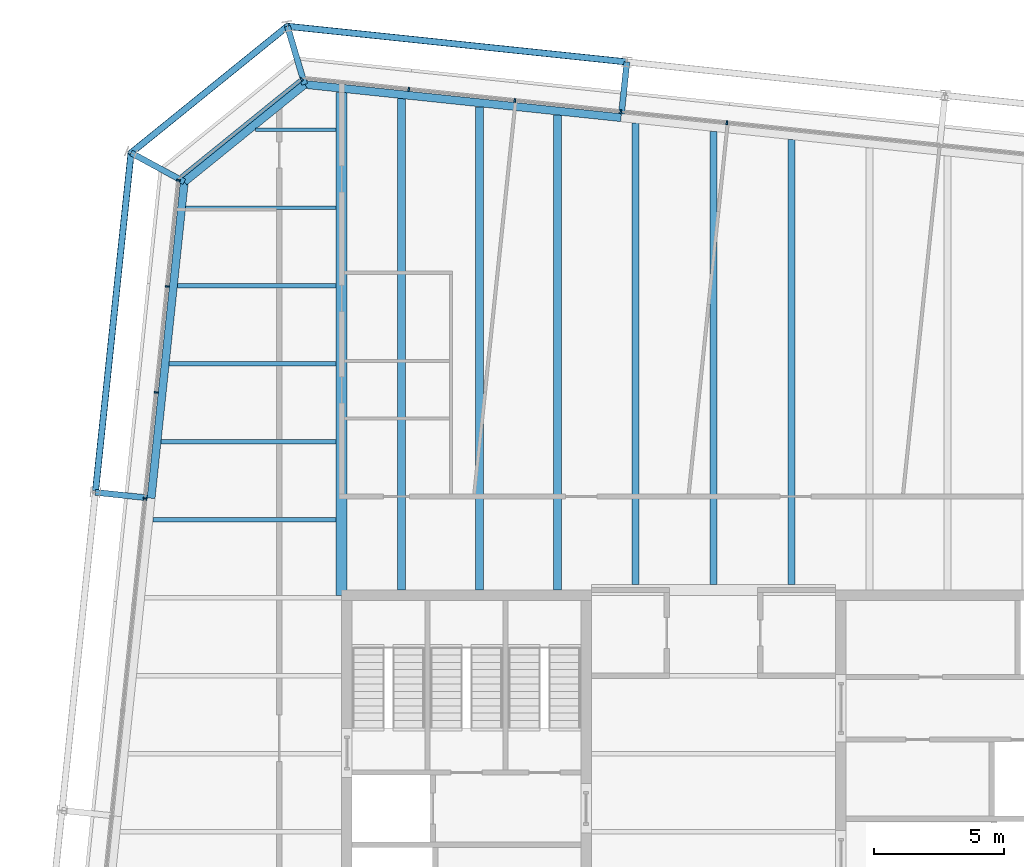
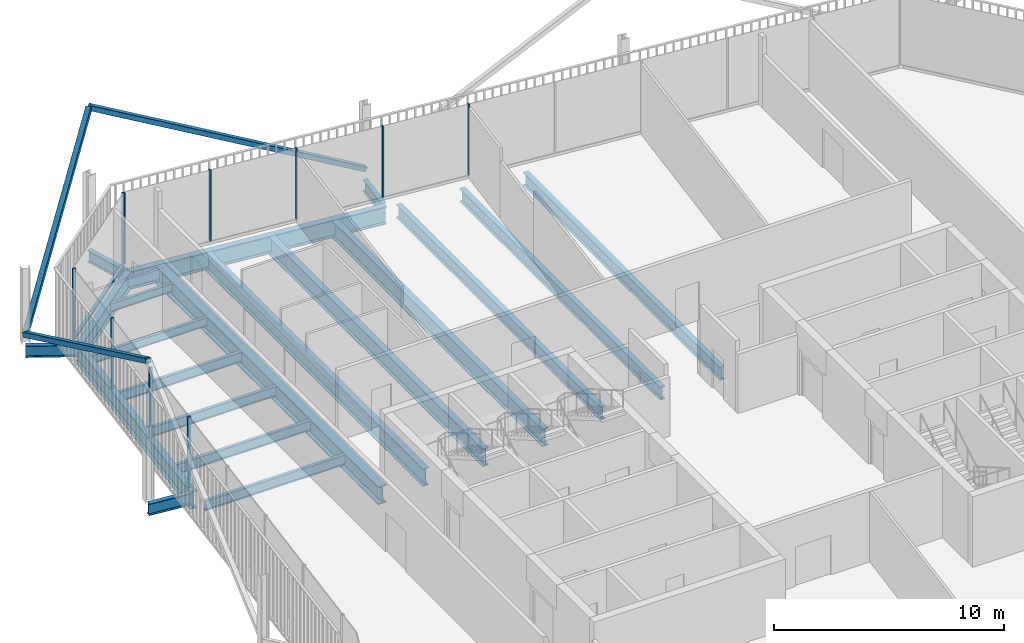
# One storey, part 12 of 21: 20 beams, 13 members, 3 elements without a shape of their own.
"""IFC4 building model written with IfcOpenShell, lengths in metres."""

import ifcopenshell
import ifcopenshell.guid

model = None  # the IFC model being written
_history = None  # IfcOwnerHistory: only IFC2X3 demands one
_inside = {}  # id of a spatial element -> (the spatial element, [elements in it])
_under = {}  # id of a project, library or spatial element -> (it, [spatial elements below it])
_declared = {}  # id of a project -> (the project, [libraries it declares])
_typed = {}  # id of a type object -> (the type object, [elements of that type])
_made_of = {}  # id of a material, layer set ... -> (it, [elements and type objects made of it])


def new_model(schema):
    """Start an empty IFC model of exactly this schema.

    Asked for "IFC4X3", IfcOpenShell would pick the latest addendum, in which some entities
    have other attributes; the version numbers below select the first issue.
    IFC2X3 requires an IfcOwnerHistory on every rooted entity: one is made here for all.
    """
    global model, _history
    if schema == "IFC4X3":
        model = ifcopenshell.file(schema_version=(4, 3, 0, 0))
    else:
        model = ifcopenshell.file(schema=schema)
    _inside.clear()
    _under.clear()
    _declared.clear()
    _typed.clear()
    _made_of.clear()
    _history = None
    if model.schema == "IFC2X3":
        org = make("IfcOrganization", Name="unknown")
        user = make(
            "IfcPersonAndOrganization",
            ThePerson=make("IfcPerson", FamilyName="unknown"),
            TheOrganization=org,
        )
        app = make(
            "IfcApplication",
            ApplicationDeveloper=org,
            Version="unknown",
            ApplicationFullName="unknown",
            ApplicationIdentifier="unknown",
        )
        _history = make(
            "IfcOwnerHistory",
            OwningUser=user,
            OwningApplication=app,
            ChangeAction="ADDED",
            CreationDate=0,
        )
    return model


def make(cls, **values):
    """One entity of the class cls with the attributes given. An attribute that is None is left unset."""
    return model.create_entity(
        cls, **{name: value for name, value in values.items() if value is not None}
    )


def rooted(cls, **values):
    """An entity with a GlobalId (a new one), such as an element, a storey or a relation."""
    return make(cls, GlobalId=ifcopenshell.guid.new(), OwnerHistory=_history, **values)


def si_unit(unit_type, name, prefix=None):
    """IfcSIUnit, for example si_unit("LENGTHUNIT", "METRE", prefix="MILLI")."""
    return make("IfcSIUnit", UnitType=unit_type, Prefix=prefix, Name=name)


def assignment(units):
    """IfcUnitAssignment: the units of a project."""
    return None if units is None else make("IfcUnitAssignment", Units=units)


def point(xyz):
    """IfcCartesianPoint."""
    return None if xyz is None else make("IfcCartesianPoint", Coordinates=xyz)


def direction(xyz):
    """IfcDirection."""
    return None if xyz is None else make("IfcDirection", DirectionRatios=xyz)


def frame(location, z_axis=None, x_axis=None):
    """IfcAxis2Placement3D, a coordinate frame: its origin and axes. An axis left out is left unset."""
    return make(
        "IfcAxis2Placement3D",
        Location=point(location),
        Axis=direction(z_axis),
        RefDirection=direction(x_axis),
    )


def frame_2d(location, x_axis=None):
    """IfcAxis2Placement2D, a coordinate frame in the plane: its origin and x axis."""
    return make(
        "IfcAxis2Placement2D", Location=point(location), RefDirection=direction(x_axis)
    )


def origin():
    """The frame at (0, 0, 0) with its axes left unset."""
    return frame((0.0, 0.0, 0.0))


def origin_2d():
    """The frame at (0, 0) in the plane with its x axis left unset."""
    return frame_2d((0.0, 0.0))


def place(relative_to, where):
    """IfcLocalPlacement: puts the frame where relative to a parent placement (None: the world)."""
    return make(
        "IfcLocalPlacement", PlacementRelTo=relative_to, RelativePlacement=where
    )


def context(
    kind, dimensions, precision=None, world=None, true_north=None, identifier=None
):
    """IfcGeometricRepresentationContext, for example the 3D "Model" context."""
    return make(
        "IfcGeometricRepresentationContext",
        ContextIdentifier=identifier,
        ContextType=kind,
        CoordinateSpaceDimension=dimensions,
        Precision=precision,
        WorldCoordinateSystem=world,
        TrueNorth=true_north,
    )


def subcontext(parent, identifier, kind, view, scale=None):
    """IfcGeometricRepresentationSubContext, for example "Body" below "Model"."""
    return make(
        "IfcGeometricRepresentationSubContext",
        ContextIdentifier=identifier,
        ContextType=kind,
        ParentContext=parent,
        TargetScale=scale,
        TargetView=view,
    )


def project(units=None, contexts=None):
    """IfcProject with its units and contexts."""
    return rooted(
        "IfcProject",
        Name="project",
        RepresentationContexts=contexts,
        UnitsInContext=assignment(units),
    )


def spatial(cls, under=None, at=None, **own):
    """A site, building, storey or space (cls), placed at a placement, below another one or the project."""
    s = rooted(cls, ObjectPlacement=at, **own)
    if under is not None:
        _under.setdefault(under.id(), (under, []))[1].append(s)
    return s


def profile(cls, at=None, kind="AREA", **sizes):
    """A parametric profile (cls). Its sizes go by their IFC names, for example OverallWidth=200.0."""
    return make(cls, ProfileType=kind, Position=at, **sizes)


def rectangle(**sizes):
    """IfcRectangleProfileDef."""
    return profile("IfcRectangleProfileDef", **sizes)


def hollow_rectangle(**sizes):
    """IfcRectangleHollowProfileDef."""
    return profile("IfcRectangleHollowProfileDef", **sizes)


def i_section(**sizes):
    """IfcIShapeProfileDef."""
    return profile("IfcIShapeProfileDef", **sizes)


def extrude(swept, where, along, depth):
    """IfcExtrudedAreaSolid: the profile swept, set in the frame where, extruded along a direction by depth."""
    return make(
        "IfcExtrudedAreaSolid",
        SweptArea=swept,
        Position=where,
        ExtrudedDirection=direction(along),
        Depth=depth,
    )


def shape(context_of_items, identifier, shape_type, items):
    """IfcShapeRepresentation: the items that make up one representation, for example the "Body"."""
    return make(
        "IfcShapeRepresentation",
        ContextOfItems=context_of_items,
        RepresentationIdentifier=identifier,
        RepresentationType=shape_type,
        Items=items,
    )


def material(Name=None, Category=None):
    """IfcMaterial."""
    return make("IfcMaterial", Name=Name, Category=Category)


def layer(
    of_material, thickness, ventilated=None, Name=None, Category=None, Priority=None
):
    """IfcMaterialLayer: one layer of a wall or slab, of a material (None: an air gap)."""
    return make(
        "IfcMaterialLayer",
        Material=of_material,
        LayerThickness=thickness,
        IsVentilated=ventilated,
        Name=Name,
        Category=Category,
        Priority=Priority,
    )


def layer_set(layers, Name=None):
    """IfcMaterialLayerSet."""
    return make("IfcMaterialLayerSet", MaterialLayers=layers, LayerSetName=Name)


def material_profile(
    of_material, cross_section, Name=None, Category=None, Priority=None
):
    """IfcMaterialProfile: a cross section and its material."""
    return make(
        "IfcMaterialProfile",
        Name=Name,
        Material=of_material,
        Profile=cross_section,
        Priority=Priority,
        Category=Category,
    )


def profile_set(profiles, Name=None, composite=None):
    """IfcMaterialProfileSet."""
    return make(
        "IfcMaterialProfileSet",
        Name=Name,
        MaterialProfiles=profiles,
        CompositeProfile=composite,
    )


def made_of(thing, what):
    """Note that an element or type object is made of a material, layer set ...; save() writes the relation."""
    if what is not None:
        _made_of.setdefault(what.id(), (what, []))[1].append(thing)
    return thing


def type_object(cls, material=None, **own):
    """A type object (cls), such as IfcWallType, which elements share."""
    return made_of(rooted(cls, **own), material)


def element(
    cls,
    number,
    at=None,
    inside=None,
    cuts=None,
    type_object=None,
    material=None,
    context=None,
    identifier="Body",
    shape_type=None,
    held_by="IfcProductDefinitionShape",
    body=None,
    shapes=None,
    **own,
):
    """One element of the class cls, such as IfcWall. Its Tag is "e" and its number.

    at: its placement. inside: the storey or other place that contains it. cuts: it is an
    opening in that element (IfcRelVoidsElement). A single representation is given by context,
    identifier, shape_type and body (its items); several are given by shapes. held_by: the class
    of the entity that holds the representations. save() writes the other relations.
    """
    e = rooted(cls, Tag="e%d" % number, ObjectPlacement=at, **own)
    if body is not None:
        shapes = [shape(context, identifier, shape_type, body)]
    if shapes is not None:
        e.Representation = make(held_by, Representations=shapes)
    if inside is not None:
        _inside.setdefault(inside.id(), (inside, []))[1].append(e)
    if cuts is not None:
        rooted(
            "IfcRelVoidsElement", RelatingBuildingElement=cuts, RelatedOpeningElement=e
        )
    if type_object is not None:
        _typed.setdefault(type_object.id(), (type_object, []))[1].append(e)
    return made_of(e, material)


def aggregate(whole, parts):
    """IfcRelAggregates: a whole, such as a stair, and the parts it consists of."""
    return rooted("IfcRelAggregates", RelatingObject=whole, RelatedObjects=parts)


def save(model, path):
    """Write the relations noted so far, then the file.

    IfcRelAggregates (storeys below a building ...), IfcRelContainedInSpatialStructure (elements
    in a storey), IfcRelDefinesByType, IfcRelAssociatesMaterial and IfcRelDeclares: one each for
    every whole, place, type object, material and project.
    """
    for whole, parts in _under.values():
        aggregate(whole, parts)
    for where, things in _inside.values():
        rooted(
            "IfcRelContainedInSpatialStructure",
            RelatedElements=things,
            RelatingStructure=where,
        )
    for kind, things in _typed.values():
        rooted("IfcRelDefinesByType", RelatedObjects=things, RelatingType=kind)
    for what, things in _made_of.values():
        rooted("IfcRelAssociatesMaterial", RelatedObjects=things, RelatingMaterial=what)
    for by, libraries in _declared.values():
        rooted("IfcRelDeclares", RelatingContext=by, RelatedDefinitions=libraries)
    model.write(path)


model = new_model("IFC4")

# Units and contexts
model_context = context("Model", 3, precision=1e-05, world=origin(), true_north=direction((0.0, 1.0)))
body_context = subcontext(model_context, "Body", "Model", "MODEL_VIEW")
ifc_project = project(units=[si_unit("LENGTHUNIT", "METRE"), si_unit("AREAUNIT", "SQUARE_METRE"), si_unit("VOLUMEUNIT", "CUBIC_METRE"), si_unit("PLANEANGLEUNIT", "RADIAN"), si_unit("MASSUNIT", "GRAM", prefix="KILO")], contexts=[model_context])

# Site, building, storey
site_placement = place(None, origin())
site = spatial("IfcSite", under=ifc_project, at=site_placement, CompositionType="ELEMENT")
building_placement = place(site_placement, origin())
building = spatial("IfcBuilding", under=site, at=building_placement, Name="Millrace Tower", CompositionType="ELEMENT")
storey_placement = place(building_placement, frame((0.0, 0.0, 334.300048828125)))
storey = spatial("IfcBuildingStorey", under=building, at=storey_placement, Name="L77", CompositionType="ELEMENT", Elevation=334.300048828125)

# Curtain wall, members
ifc_material_1 = material(Name="Aluminium and glass", Category="aluminium")
ifc_layer = layer(ifc_material_1, 0.14990234375)
ifc_layer_set = layer_set([ifc_layer], Name="Aluminium and glass")
curtain_wall_type = type_object("IfcCurtainWallType", Name="CW-1 office vision curtain wall", PredefinedType="NOTDEFINED", material=ifc_layer_set)
placement = place(storey_placement, origin())
curtain_wall_1 = element("IfcCurtainWall", 1, at=placement, inside=storey, type_object=curtain_wall_type, Name="Curtain wall E-F06 L77", PredefinedType="NOTDEFINED")
ifc_material_2 = material(Name="Aluminium", Category="aluminium")
ifc_material_profile_1 = material_profile(ifc_material_2, rectangle(XDim=0.06494140625, YDim=0.14990234375, at=origin_2d()))
ifc_profile_set_1 = profile_set([ifc_material_profile_1], Name="Aluminium")
member_type_1 = type_object("IfcMemberType", Name="CW-1 office vision curtain wall mullion", PredefinedType="MULLION", material=ifc_profile_set_1)
member_1_placement = place(storey_placement, frame((0.514892578125, 27.267578125, 0.139892578125), z_axis=(0.0, 0.0, 1.0), x_axis=(-0.994521896217, 0.104528455196, 0.0)))
member_1 = element("IfcMember", 2, at=member_1_placement, type_object=member_type_1, Name="CW1 mullion E-F06.6", PredefinedType="MULLION", context=body_context, shape_type="SweptSolid", body=[
    extrude(rectangle(XDim=0.06494140625, YDim=0.14990234375, at=origin_2d()), origin(), (0.0, 0.0, 1.0), 3.760009765625),
])
member_2_placement = place(storey_placement, frame((-3.562744140625, 27.6962890625, 0.139892578125), z_axis=(0.0, 0.0, 1.0), x_axis=(-0.994521896217, 0.104528455196, 0.0)))
member_2 = element("IfcMember", 3, at=member_2_placement, type_object=member_type_1, Name="CW1 mullion E-F06.7", PredefinedType="MULLION", context=body_context, shape_type="SweptSolid", body=[
    extrude(rectangle(XDim=0.06494140625, YDim=0.14990234375, at=origin_2d()), origin(), (0.0, 0.0, 1.0), 3.760009765625),
])
member_3_placement = place(storey_placement, frame((-7.640380859375, 28.124755859375, 0.139892578125), z_axis=(0.0, 0.0, 1.0), x_axis=(-0.994521896217, 0.104528455196, 0.0)))
member_3 = element("IfcMember", 4, at=member_3_placement, type_object=member_type_1, Name="CW1 mullion E-F06.8", PredefinedType="MULLION", context=body_context, shape_type="SweptSolid", body=[
    extrude(rectangle(XDim=0.06494140625, YDim=0.14990234375, at=origin_2d()), origin(), (0.0, 0.0, 1.0), 3.760009765625),
])
member_4_placement = place(storey_placement, frame((-11.7177734375, 28.55322265625, 0.139892578125), z_axis=(0.0, 0.0, 1.0), x_axis=(-0.994521896217, 0.104528455196, 0.0)))
member_4 = element("IfcMember", 5, at=member_4_placement, type_object=member_type_1, Name="CW1 mullion E-F06.9", PredefinedType="MULLION", context=body_context, shape_type="SweptSolid", body=[
    extrude(rectangle(XDim=0.06494140625, YDim=0.14990234375, at=origin_2d()), origin(), (0.0, 0.0, 1.0), 3.760009765625),
])
aggregate(curtain_wall_1, [member_1, member_2, member_3, member_4])

# Curtain wall, member
curtain_wall_2 = element("IfcCurtainWall", 6, at=placement, inside=storey, type_object=curtain_wall_type, Name="Curtain wall E-F07 L77", PredefinedType="NOTDEFINED")
member_5_placement = place(storey_placement, frame((-15.84326171875, 28.941650390625, 0.139892578125), z_axis=(0.0, 0.0, 1.0), x_axis=(-0.777146052237, -0.629320278945, 0.0)))
member_5 = element("IfcMember", 7, at=member_5_placement, type_object=member_type_1, Name="CW1 mullion E-F07.1", PredefinedType="MULLION", context=body_context, shape_type="SweptSolid", body=[
    extrude(rectangle(XDim=0.06494140625, YDim=0.14990234375, at=origin_2d()), origin(), (0.0, 0.0, 1.0), 3.760009765625),
])

# Curtain wall, members
curtain_wall_3 = element("IfcCurtainWall", 8, at=placement, inside=storey, type_object=curtain_wall_type, Name="Curtain wall E-F08 L77", PredefinedType="NOTDEFINED")
member_6_placement = place(storey_placement, frame((-20.57470703125, 25.052490234375, 0.139892578125), z_axis=(0.0, 0.0, 1.0), x_axis=(-0.104528455196, -0.994521896217, 0.0)))
member_6 = element("IfcMember", 9, at=member_6_placement, type_object=member_type_1, Name="CW1 mullion E-F08.1", PredefinedType="MULLION", context=body_context, shape_type="SweptSolid", body=[
    extrude(rectangle(XDim=0.06494140625, YDim=0.14990234375, at=origin_2d()), origin(), (0.0, 0.0, 1.0), 3.760009765625),
])
member_7_placement = place(storey_placement, frame((-21.00341796875, 20.974853515625, 0.139892578125), z_axis=(0.0, 0.0, 1.0), x_axis=(-0.104528455196, -0.994521896217, 0.0)))
member_7 = element("IfcMember", 10, at=member_7_placement, type_object=member_type_1, Name="CW1 mullion E-F08.2", PredefinedType="MULLION", context=body_context, shape_type="SweptSolid", body=[
    extrude(rectangle(XDim=0.06494140625, YDim=0.14990234375, at=origin_2d()), origin(), (0.0, 0.0, 1.0), 3.760009765625),
])
member_8_placement = place(storey_placement, frame((-21.431884765625, 16.8974609375, 0.139892578125), z_axis=(0.0, 0.0, 1.0), x_axis=(-0.104528455196, -0.994521896217, 0.0)))
member_8 = element("IfcMember", 11, at=member_8_placement, type_object=member_type_1, Name="CW1 mullion E-F08.3", PredefinedType="MULLION", context=body_context, shape_type="SweptSolid", body=[
    extrude(rectangle(XDim=0.06494140625, YDim=0.14990234375, at=origin_2d()), origin(), (0.0, 0.0, 1.0), 3.760009765625),
])
member_9_placement = place(storey_placement, frame((-21.860595703125, 12.81982421875, 0.139892578125), z_axis=(0.0, 0.0, 1.0), x_axis=(-0.104528455196, -0.994521896217, 0.0)))
member_9 = element("IfcMember", 12, at=member_9_placement, type_object=member_type_1, Name="CW1 mullion E-F08.4", PredefinedType="MULLION", context=body_context, shape_type="SweptSolid", body=[
    extrude(rectangle(XDim=0.06494140625, YDim=0.14990234375, at=origin_2d()), origin(), (0.0, 0.0, 1.0), 3.760009765625),
])
aggregate(curtain_wall_3, [member_6, member_7, member_8, member_9])

# Member
ifc_material_3 = material(Name="Aluminium", Category="aluminium")
ifc_material_profile_2 = material_profile(ifc_material_3, rectangle(XDim=0.14990234375, YDim=0.139892578125, at=origin_2d()))
ifc_profile_set_2 = profile_set([ifc_material_profile_2], Name="Aluminium")
member_type_2 = type_object("IfcMemberType", Name="CW-1 office vision curtain wall transom", PredefinedType="USERDEFINED", material=ifc_profile_set_2)
member_10_placement = place(storey_placement, frame((-15.895751953125, 28.899169921875, 0.070068359375), z_axis=(-0.777165591695, -0.629296148951, 0.0), x_axis=(0.629296148951, -0.777165591695, 0.0)))
member_10 = element("IfcMember", 13, at=member_10_placement, type_object=member_type_2, Name="CW1 transom E-F07.1", ObjectType="TRANSOM", PredefinedType="USERDEFINED", context=body_context, shape_type="SweptSolid", body=[
    extrude(rectangle(XDim=0.14990234375, YDim=0.139892578125, at=origin_2d()), origin(), (0.0, 0.0, 1.0), 5.881103515625),
])

aggregate(curtain_wall_2, [member_5, member_10])

# Members
ifc_material_4 = material(Name="Steel ASTM A500 Grade C", Category="steel")
ifc_material_profile_3 = material_profile(ifc_material_4, hollow_rectangle(XDim=0.25390625, YDim=0.25390625, WallThickness=0.009521484375, InnerFilletRadius=0.004638671875, OuterFilletRadius=0.014404296875, at=origin_2d()))
ifc_profile_set_3 = profile_set([ifc_material_profile_3], Name="Steel ASTM A500 Grade C")
member_type_3 = type_object("IfcMemberType", Name="Exoskeleton brace HSS10x10x3/8", PredefinedType="BRACE", material=ifc_profile_set_3)
member_11_placement = place(storey_placement, frame((-3.329345703125, 29.607177734375, 0.39990234375), z_axis=(-0.877568210125, 0.092238278747, 0.470495628578), x_axis=(-0.104530865473, -0.994521642883, 0.0)))
element("IfcMember", 14, at=member_11_placement, inside=storey, type_object=member_type_3, Name="BRC-E-L77-12", PredefinedType="BRACE", context=body_context, shape_type="SweptSolid", body=[
    extrude(hollow_rectangle(XDim=0.25390625, YDim=0.25390625, WallThickness=0.009521484375, InnerFilletRadius=0.004638671875, OuterFilletRadius=0.014404296875, at=origin_2d()), origin(), (0.0, 0.0, 1.0), 14.8779296875),
])
member_12_placement = place(storey_placement, frame((-22.399169921875, 26.10986328125, 0.39990234375), z_axis=(0.57631352586, 0.466694392708, 0.670864415308), x_axis=(-0.62932438279, 0.777142728993, 0.0)))
element("IfcMember", 15, at=member_12_placement, inside=storey, type_object=member_type_3, Name="BRC-E-L77-13", PredefinedType="BRACE", context=body_context, shape_type="SweptSolid", body=[
    extrude(hollow_rectangle(XDim=0.25390625, YDim=0.25390625, WallThickness=0.009521484375, InnerFilletRadius=0.004638671875, OuterFilletRadius=0.014404296875, at=origin_2d()), origin(), (0.0, 0.0, 1.0), 10.434326171875),
])
member_13_placement = place(storey_placement, frame((-22.399169921875, 26.10986328125, 0.39990234375), z_axis=(-0.092238278747, -0.877568210125, 0.470495628578), x_axis=(0.994521642883, -0.104530865473, 0.0)))
element("IfcMember", 16, at=member_13_placement, inside=storey, type_object=member_type_3, Name="BRC-E-L77-14", PredefinedType="BRACE", context=body_context, shape_type="SweptSolid", body=[
    extrude(hollow_rectangle(XDim=0.25390625, YDim=0.25390625, WallThickness=0.009521484375, InnerFilletRadius=0.004638671875, OuterFilletRadius=0.014404296875, at=origin_2d()), origin(), (0.0, 0.0, 1.0), 14.8779296875),
])

# Beams
ifc_material_5 = material(Name="Steel ASTM A992 Grade 50", Category="steel")
ifc_material_profile_4 = material_profile(ifc_material_5, i_section(OverallWidth=0.15234375, OverallDepth=0.449462890625, WebThickness=0.007568359375, FlangeThickness=0.0107421875, FilletRadius=0.01025390625, at=origin_2d()))
ifc_profile_set_4 = profile_set([ifc_material_profile_4], Name="Steel ASTM A992 Grade 50")
beam_type_1 = type_object("IfcBeamType", Name="Floor beam W18x35", PredefinedType="JOIST", material=ifc_profile_set_4)
beam_1_placement = place(storey_placement, frame((-20.301025390625, 24.0, -0.384765625), z_axis=(1.0, 0.0, 0.0), x_axis=(0.0, 1.0, 0.0)))
element("IfcBeam", 17, at=beam_1_placement, inside=storey, type_object=beam_type_1, Name="BM-E-L77-S1-S033", PredefinedType="JOIST", context=body_context, shape_type="SweptSolid", body=[
    extrude(i_section(OverallWidth=0.15234375, OverallDepth=0.449462890625, WebThickness=0.007568359375, FlangeThickness=0.0107421875, FilletRadius=0.01025390625, at=origin_2d()), origin(), (0.0, 0.0, 1.0), 5.79150390625),
])
beam_2_placement = place(storey_placement, frame((-17.609619140625, 27.0, -0.384765625), z_axis=(1.0, 0.0, 0.0), x_axis=(0.0, 1.0, 0.0)))
element("IfcBeam", 18, at=beam_2_placement, inside=storey, type_object=beam_type_1, Name="BM-E-L77-S1-S035", PredefinedType="JOIST", context=body_context, shape_type="SweptSolid", body=[
    extrude(i_section(OverallWidth=0.15234375, OverallDepth=0.449462890625, WebThickness=0.007568359375, FlangeThickness=0.0107421875, FilletRadius=0.01025390625, at=origin_2d()), origin(), (0.0, 0.0, 1.0), 3.10009765625),
])
ifc_material_6 = material(Name="Steel ASTM A992 Grade 50", Category="steel")
ifc_material_profile_5 = material_profile(ifc_material_6, i_section(OverallWidth=0.1650390625, OverallDepth=0.52587890625, WebThickness=0.0087890625, FlangeThickness=0.011474609375, FilletRadius=0.0126953125, at=origin_2d()))
ifc_profile_set_5 = profile_set([ifc_material_profile_5], Name="Steel ASTM A992 Grade 50")
beam_type_2 = type_object("IfcBeamType", Name="Floor beam W21x44", PredefinedType="JOIST", material=ifc_profile_set_5)
beam_3_placement = place(storey_placement, frame((-21.562255859375, 12.0, -0.4228515625), z_axis=(1.0, 0.0, 0.0), x_axis=(0.0, 1.0, 0.0)))
element("IfcBeam", 19, at=beam_3_placement, inside=storey, type_object=beam_type_2, Name="BM-E-L77-S1-S025", PredefinedType="JOIST", context=body_context, shape_type="SweptSolid", body=[
    extrude(i_section(OverallWidth=0.1650390625, OverallDepth=0.52587890625, WebThickness=0.0087890625, FlangeThickness=0.011474609375, FilletRadius=0.0126953125, at=origin_2d()), origin(), (0.0, 0.0, 1.0), 7.052734375),
])
beam_4_placement = place(storey_placement, frame((-21.246826171875, 15.0, -0.4228515625), z_axis=(1.0, 0.0, 0.0), x_axis=(0.0, 1.0, 0.0)))
element("IfcBeam", 20, at=beam_4_placement, inside=storey, type_object=beam_type_2, Name="BM-E-L77-S1-S027", PredefinedType="JOIST", context=body_context, shape_type="SweptSolid", body=[
    extrude(i_section(OverallWidth=0.1650390625, OverallDepth=0.52587890625, WebThickness=0.0087890625, FlangeThickness=0.011474609375, FilletRadius=0.0126953125, at=origin_2d()), origin(), (0.0, 0.0, 1.0), 6.7373046875),
])
beam_5_placement = place(storey_placement, frame((-20.931640625, 18.0, -0.4228515625), z_axis=(1.0, 0.0, 0.0), x_axis=(0.0, 1.0, 0.0)))
element("IfcBeam", 21, at=beam_5_placement, inside=storey, type_object=beam_type_2, Name="BM-E-L77-S1-S029", PredefinedType="JOIST", context=body_context, shape_type="SweptSolid", body=[
    extrude(i_section(OverallWidth=0.1650390625, OverallDepth=0.52587890625, WebThickness=0.0087890625, FlangeThickness=0.011474609375, FilletRadius=0.0126953125, at=origin_2d()), origin(), (0.0, 0.0, 1.0), 6.422119140625),
])
beam_6_placement = place(storey_placement, frame((-20.6162109375, 21.0, -0.4228515625), z_axis=(1.0, 0.0, 0.0), x_axis=(0.0, 1.0, 0.0)))
element("IfcBeam", 22, at=beam_6_placement, inside=storey, type_object=beam_type_2, Name="BM-E-L77-S1-S031", PredefinedType="JOIST", context=body_context, shape_type="SweptSolid", body=[
    extrude(i_section(OverallWidth=0.1650390625, OverallDepth=0.52587890625, WebThickness=0.0087890625, FlangeThickness=0.011474609375, FilletRadius=0.0126953125, at=origin_2d()), origin(), (0.0, 0.0, 1.0), 6.106689453125),
])
ifc_material_7 = material(Name="Steel ASTM A992 Grade 50", Category="steel")
ifc_material_profile_6 = material_profile(ifc_material_7, i_section(OverallWidth=0.256591796875, OverallDepth=0.693359375, WebThickness=0.014404296875, FlangeThickness=0.023681640625, FilletRadius=0.01513671875, at=origin_2d()))
ifc_profile_set_6 = profile_set([ifc_material_profile_6], Name="Steel ASTM A992 Grade 50")
beam_type_3 = type_object("IfcBeamType", Name="Floor beam W27x114", PredefinedType="JOIST", material=ifc_profile_set_6)
beam_7_placement = place(storey_placement, frame((-3.0, 9.509521484375, -0.5068359375), z_axis=(0.0, 1.0, 0.0), x_axis=(-1.0, 0.0, 0.0)))
element("IfcBeam", 23, at=beam_7_placement, inside=storey, type_object=beam_type_3, Name="BM-E-L77-S1-S042", PredefinedType="JOIST", context=body_context, shape_type="SweptSolid", body=[
    extrude(i_section(OverallWidth=0.256591796875, OverallDepth=0.693359375, WebThickness=0.014404296875, FlangeThickness=0.023681640625, FilletRadius=0.01513671875, at=origin_2d()), origin(), (0.0, 0.0, 1.0), 17.7431640625),
])
beam_8_placement = place(storey_placement, frame((0.0, 9.509521484375, -0.5068359375), z_axis=(0.0, 1.0, 0.0), x_axis=(-1.0, 0.0, 0.0)))
element("IfcBeam", 24, at=beam_8_placement, inside=storey, type_object=beam_type_3, Name="BM-E-L77-S1-S044", PredefinedType="JOIST", context=body_context, shape_type="SweptSolid", body=[
    extrude(i_section(OverallWidth=0.256591796875, OverallDepth=0.693359375, WebThickness=0.014404296875, FlangeThickness=0.023681640625, FilletRadius=0.01513671875, at=origin_2d()), origin(), (0.0, 0.0, 1.0), 17.427734375),
])
beam_9_placement = place(storey_placement, frame((3.0, 9.509521484375, -0.5068359375), z_axis=(0.0, 1.0, 0.0), x_axis=(-1.0, 0.0, 0.0)))
element("IfcBeam", 25, at=beam_9_placement, inside=storey, type_object=beam_type_3, Name="BM-E-L77-S1-S046", PredefinedType="JOIST", context=body_context, shape_type="SweptSolid", body=[
    extrude(i_section(OverallWidth=0.256591796875, OverallDepth=0.693359375, WebThickness=0.014404296875, FlangeThickness=0.023681640625, FilletRadius=0.01513671875, at=origin_2d()), origin(), (0.0, 0.0, 1.0), 17.112548828125),
])
ifc_material_8 = material(Name="Steel ASTM A992 Grade 50", Category="steel")
ifc_material_profile_7 = material_profile(ifc_material_8, i_section(OverallWidth=0.307373046875, OverallDepth=0.927001953125, WebThickness=0.01953125, FlangeThickness=0.031982421875, FilletRadius=0.01904296875, at=origin_2d()))
ifc_profile_set_7 = profile_set([ifc_material_profile_7], Name="Steel ASTM A992 Grade 50")
beam_type_4 = type_object("IfcBeamType", Name="Floor beam W36x194", PredefinedType="JOIST", material=ifc_profile_set_7)
beam_10_placement = place(storey_placement, frame((-12.0, 9.300048828125, -0.62353515625), z_axis=(0.0, 1.0, 0.0), x_axis=(-1.0, 0.0, 0.0)))
element("IfcBeam", 26, at=beam_10_placement, inside=storey, type_object=beam_type_4, Name="BM-E-L77-S1-S036", PredefinedType="JOIST", context=body_context, shape_type="SweptSolid", body=[
    extrude(i_section(OverallWidth=0.307373046875, OverallDepth=0.927001953125, WebThickness=0.01953125, FlangeThickness=0.031982421875, FilletRadius=0.01904296875, at=origin_2d()), origin(), (0.0, 0.0, 1.0), 18.8984375),
])
beam_11_placement = place(storey_placement, frame((-9.0, 9.300048828125, -0.62353515625), z_axis=(0.0, 1.0, 0.0), x_axis=(-1.0, 0.0, 0.0)))
element("IfcBeam", 27, at=beam_11_placement, inside=storey, type_object=beam_type_4, Name="BM-E-L77-S1-S038", PredefinedType="JOIST", context=body_context, shape_type="SweptSolid", body=[
    extrude(i_section(OverallWidth=0.307373046875, OverallDepth=0.927001953125, WebThickness=0.01953125, FlangeThickness=0.031982421875, FilletRadius=0.01904296875, at=origin_2d()), origin(), (0.0, 0.0, 1.0), 18.583251953125),
])
beam_12_placement = place(storey_placement, frame((-6.0, 9.300048828125, -0.62353515625), z_axis=(0.0, 1.0, 0.0), x_axis=(-1.0, 0.0, 0.0)))
element("IfcBeam", 28, at=beam_12_placement, inside=storey, type_object=beam_type_4, Name="BM-E-L77-S1-S040", PredefinedType="JOIST", context=body_context, shape_type="SweptSolid", body=[
    extrude(i_section(OverallWidth=0.307373046875, OverallDepth=0.927001953125, WebThickness=0.01953125, FlangeThickness=0.031982421875, FilletRadius=0.01904296875, at=origin_2d()), origin(), (0.0, 0.0, 1.0), 18.267822265625),
])
ifc_material_9 = material(Name="Steel ASTM A992 Grade 50", Category="steel")
ifc_material_profile_8 = material_profile(ifc_material_9, i_section(OverallWidth=0.424072265625, OverallDepth=0.947509765625, WebThickness=0.02392578125, FlangeThickness=0.042724609375, FilletRadius=0.024169921875, at=origin_2d()))
ifc_profile_set_8 = profile_set([ifc_material_profile_8], Name="Steel ASTM A992 Grade 50")
beam_type_5 = type_object("IfcBeamType", Name="Girder medium span W36x302", PredefinedType="BEAM", material=ifc_profile_set_8)
beam_13_placement = place(storey_placement, frame((-14.300048828125, 9.083984375, -0.6337890625), z_axis=(0.0, 1.0, 0.0), x_axis=(-1.0, 0.0, 0.0)))
element("IfcBeam", 29, at=beam_13_placement, inside=storey, type_object=beam_type_5, Name="BM-E-L77-S1-G054", PredefinedType="BEAM", context=body_context, shape_type="SweptSolid", body=[
    extrude(i_section(OverallWidth=0.424072265625, OverallDepth=0.947509765625, WebThickness=0.02392578125, FlangeThickness=0.042724609375, FilletRadius=0.024169921875, at=origin_2d()), origin(), (0.0, 0.0, 1.0), 19.356201171875),
])
ifc_material_10 = material(Name="Steel ASTM A992 Grade 50", Category="steel")
ifc_material_profile_9 = material_profile(ifc_material_10, i_section(OverallWidth=0.23046875, OverallDepth=0.6171875, WebThickness=0.01318359375, FlangeThickness=0.022216796875, FilletRadius=0.012939453125, at=origin_2d()))
ifc_profile_set_9 = profile_set([ifc_material_profile_9], Name="Steel ASTM A992 Grade 50")
beam_type_6 = type_object("IfcBeamType", Name="Link beam W24x94", PredefinedType="BEAM", material=ifc_profile_set_9)
beam_14_placement = place(storey_placement, frame((-21.782470703125, 12.84423828125, -0.46875), z_axis=(-0.994512808172, 0.104614886044, 0.0), x_axis=(-0.104614886044, -0.994512808172, 0.0)))
element("IfcBeam", 30, at=beam_14_placement, inside=storey, type_object=beam_type_6, Name="LNK-E-L77-S1-03", PredefinedType="BEAM", context=body_context, shape_type="SweptSolid", body=[
    extrude(i_section(OverallWidth=0.23046875, OverallDepth=0.6171875, WebThickness=0.01318359375, FlangeThickness=0.022216796875, FilletRadius=0.012939453125, at=origin_2d()), origin(), (0.0, 0.0, 1.0), 2.0),
])
for number, where, z_axis, x_axis, name in (
    (31, (-20.3505859375, 24.99755859375, -0.46875), (-0.87881453358, 0.477163510307, 0.0), (-0.477163510307, -0.87881453358, 0.0), "LNK-E-L77-S1-04"),
    (32, (-15.7236328125, 28.744384765625, -0.46875), (-0.284031275065, 0.958815015936, 0.0), (-0.958815015936, -0.284031275065, 0.0), "LNK-E-L77-S1-05"),
):
    element("IfcBeam", number, at=place(storey_placement, frame(where, z_axis=z_axis, x_axis=x_axis)), inside=storey, type_object=beam_type_6, Name=name, PredefinedType="BEAM", context=body_context, shape_type="SweptSolid", body=[
        extrude(i_section(OverallWidth=0.23046875, OverallDepth=0.6171875, WebThickness=0.01318359375, FlangeThickness=0.022216796875, FilletRadius=0.012939453125, at=origin_2d()), origin(), (0.0, 0.0, 1.0), 2.3310546875),
    ])
beam_15_placement = place(storey_placement, frame((-3.538330078125, 27.6181640625, -0.46875), z_axis=(0.104494148666, 0.99452550138, 0.0), x_axis=(-0.99452550138, 0.104494148666, 0.0)))
element("IfcBeam", 33, at=beam_15_placement, inside=storey, type_object=beam_type_6, Name="LNK-E-L77-S1-06", PredefinedType="BEAM", context=body_context, shape_type="SweptSolid", body=[
    extrude(i_section(OverallWidth=0.23046875, OverallDepth=0.6171875, WebThickness=0.01318359375, FlangeThickness=0.022216796875, FilletRadius=0.012939453125, at=origin_2d()), origin(), (0.0, 0.0, 1.0), 2.0),
])
ifc_material_11 = material(Name="Steel ASTM A992 Grade 50", Category="steel")
ifc_material_profile_10 = material_profile(ifc_material_11, i_section(OverallWidth=0.307373046875, OverallDepth=0.927001953125, WebThickness=0.01953125, FlangeThickness=0.031982421875, FilletRadius=0.01904296875, at=origin_2d()))
ifc_profile_set_10 = profile_set([ifc_material_profile_10], Name="Steel ASTM A992 Grade 50")
beam_type_7 = type_object("IfcBeamType", Name="Ring beam medium span W36x194", PredefinedType="SPANDREL", material=ifc_profile_set_10)
for number, where, z_axis, x_axis, name in (
    (34, (-21.629638671875, 12.828369140625, -0.62353515625), (0.104530030035, 0.994521730693, 0.0), (-0.994521730693, 0.104530030035, 0.0), "RNG-E-L77-S1-03"),
    (35, (-15.7236328125, 28.744384765625, -0.62353515625), (0.994521730693, -0.104530030035, 0.0), (0.104530030035, 0.994521730693, 0.0), "RNG-E-L77-S1-05"),
):
    element("IfcBeam", number, at=place(storey_placement, frame(where, z_axis=z_axis, x_axis=x_axis)), inside=storey, type_object=beam_type_7, Name=name, PredefinedType="SPANDREL", context=body_context, shape_type="SweptSolid", body=[
        extrude(i_section(OverallWidth=0.307373046875, OverallDepth=0.927001953125, WebThickness=0.01953125, FlangeThickness=0.031982421875, FilletRadius=0.01904296875, at=origin_2d()), origin(), (0.0, 0.0, 1.0), 12.236328125),
    ])
ifc_material_12 = material(Name="Steel ASTM A992 Grade 50", Category="steel")
ifc_material_profile_11 = material_profile(ifc_material_12, i_section(OverallWidth=0.307373046875, OverallDepth=0.927001953125, WebThickness=0.01953125, FlangeThickness=0.031982421875, FilletRadius=0.01904296875, at=origin_2d()))
ifc_profile_set_11 = profile_set([ifc_material_profile_11], Name="Steel ASTM A992 Grade 50")
beam_type_8 = type_object("IfcBeamType", Name="Ring beam short span W36x194", PredefinedType="SPANDREL", material=ifc_profile_set_11)
beam_16_placement = place(storey_placement, frame((-20.3505859375, 24.99755859375, -0.62353515625), z_axis=(0.777146502883, 0.629319722443, 0.0), x_axis=(-0.629319722443, 0.777146502883, 0.0)))
element("IfcBeam", 36, at=beam_16_placement, inside=storey, type_object=beam_type_8, Name="RNG-E-L77-S1-04", PredefinedType="SPANDREL", context=body_context, shape_type="SweptSolid", body=[
    extrude(i_section(OverallWidth=0.307373046875, OverallDepth=0.927001953125, WebThickness=0.01953125, FlangeThickness=0.031982421875, FilletRadius=0.01904296875, at=origin_2d()), origin(), (0.0, 0.0, 1.0), 5.953857421875),
])

save(model, "model.ifc")
